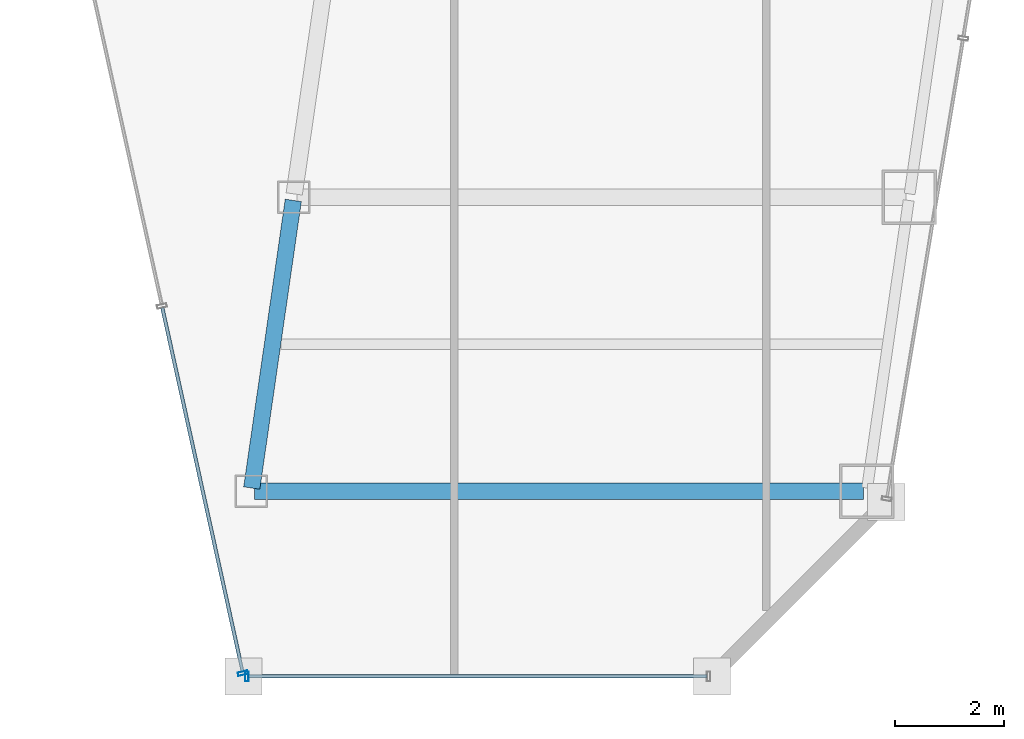
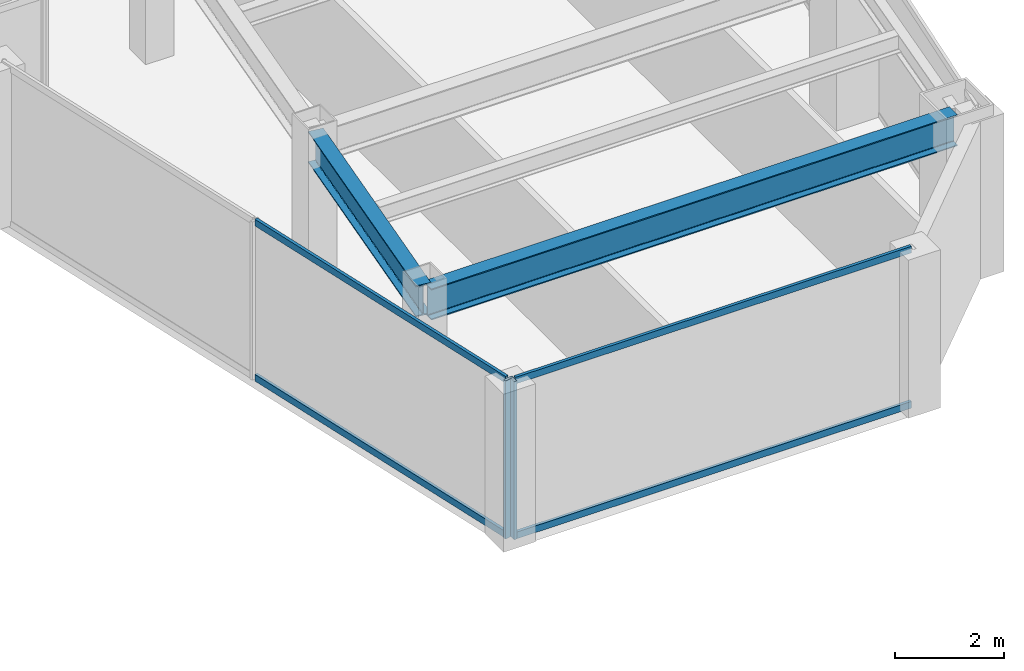
# One storey, part 17 of 40: 6 members, 2 beams, 2 elements without a shape of their own.
"""IFC4 building model written with IfcOpenShell, lengths in metres."""

import ifcopenshell
import ifcopenshell.guid

model = None  # the IFC model being written
_history = None  # IfcOwnerHistory: only IFC2X3 demands one
_inside = {}  # id of a spatial element -> (the spatial element, [elements in it])
_under = {}  # id of a project, library or spatial element -> (it, [spatial elements below it])
_declared = {}  # id of a project -> (the project, [libraries it declares])
_typed = {}  # id of a type object -> (the type object, [elements of that type])
_made_of = {}  # id of a material, layer set ... -> (it, [elements and type objects made of it])


def new_model(schema):
    """Start an empty IFC model of exactly this schema.

    Asked for "IFC4X3", IfcOpenShell would pick the latest addendum, in which some entities
    have other attributes; the version numbers below select the first issue.
    IFC2X3 requires an IfcOwnerHistory on every rooted entity: one is made here for all.
    """
    global model, _history
    if schema == "IFC4X3":
        model = ifcopenshell.file(schema_version=(4, 3, 0, 0))
    else:
        model = ifcopenshell.file(schema=schema)
    _inside.clear()
    _under.clear()
    _declared.clear()
    _typed.clear()
    _made_of.clear()
    _history = None
    if model.schema == "IFC2X3":
        org = make("IfcOrganization", Name="unknown")
        user = make(
            "IfcPersonAndOrganization",
            ThePerson=make("IfcPerson", FamilyName="unknown"),
            TheOrganization=org,
        )
        app = make(
            "IfcApplication",
            ApplicationDeveloper=org,
            Version="unknown",
            ApplicationFullName="unknown",
            ApplicationIdentifier="unknown",
        )
        _history = make(
            "IfcOwnerHistory",
            OwningUser=user,
            OwningApplication=app,
            ChangeAction="ADDED",
            CreationDate=0,
        )
    return model


def make(cls, **values):
    """One entity of the class cls with the attributes given. An attribute that is None is left unset."""
    return model.create_entity(
        cls, **{name: value for name, value in values.items() if value is not None}
    )


def rooted(cls, **values):
    """An entity with a GlobalId (a new one), such as an element, a storey or a relation."""
    return make(cls, GlobalId=ifcopenshell.guid.new(), OwnerHistory=_history, **values)


def si_unit(unit_type, name, prefix=None):
    """IfcSIUnit, for example si_unit("LENGTHUNIT", "METRE", prefix="MILLI")."""
    return make("IfcSIUnit", UnitType=unit_type, Prefix=prefix, Name=name)


def assignment(units):
    """IfcUnitAssignment: the units of a project."""
    return None if units is None else make("IfcUnitAssignment", Units=units)


def point(xyz):
    """IfcCartesianPoint."""
    return None if xyz is None else make("IfcCartesianPoint", Coordinates=xyz)


def direction(xyz):
    """IfcDirection."""
    return None if xyz is None else make("IfcDirection", DirectionRatios=xyz)


def frame(location, z_axis=None, x_axis=None):
    """IfcAxis2Placement3D, a coordinate frame: its origin and axes. An axis left out is left unset."""
    return make(
        "IfcAxis2Placement3D",
        Location=point(location),
        Axis=direction(z_axis),
        RefDirection=direction(x_axis),
    )


def frame_2d(location, x_axis=None):
    """IfcAxis2Placement2D, a coordinate frame in the plane: its origin and x axis."""
    return make(
        "IfcAxis2Placement2D", Location=point(location), RefDirection=direction(x_axis)
    )


def origin():
    """The frame at (0, 0, 0) with its axes left unset."""
    return frame((0.0, 0.0, 0.0))


def origin_2d():
    """The frame at (0, 0) in the plane with its x axis left unset."""
    return frame_2d((0.0, 0.0))


def place(relative_to, where):
    """IfcLocalPlacement: puts the frame where relative to a parent placement (None: the world)."""
    return make(
        "IfcLocalPlacement", PlacementRelTo=relative_to, RelativePlacement=where
    )


def context(
    kind, dimensions, precision=None, world=None, true_north=None, identifier=None
):
    """IfcGeometricRepresentationContext, for example the 3D "Model" context."""
    return make(
        "IfcGeometricRepresentationContext",
        ContextIdentifier=identifier,
        ContextType=kind,
        CoordinateSpaceDimension=dimensions,
        Precision=precision,
        WorldCoordinateSystem=world,
        TrueNorth=true_north,
    )


def subcontext(parent, identifier, kind, view, scale=None):
    """IfcGeometricRepresentationSubContext, for example "Body" below "Model"."""
    return make(
        "IfcGeometricRepresentationSubContext",
        ContextIdentifier=identifier,
        ContextType=kind,
        ParentContext=parent,
        TargetScale=scale,
        TargetView=view,
    )


def project(units=None, contexts=None):
    """IfcProject with its units and contexts."""
    return rooted(
        "IfcProject",
        Name="project",
        RepresentationContexts=contexts,
        UnitsInContext=assignment(units),
    )


def spatial(cls, under=None, at=None, **own):
    """A site, building, storey or space (cls), placed at a placement, below another one or the project."""
    s = rooted(cls, ObjectPlacement=at, **own)
    if under is not None:
        _under.setdefault(under.id(), (under, []))[1].append(s)
    return s


def profile(cls, at=None, kind="AREA", **sizes):
    """A parametric profile (cls). Its sizes go by their IFC names, for example OverallWidth=200.0."""
    return make(cls, ProfileType=kind, Position=at, **sizes)


def hollow_rectangle(**sizes):
    """IfcRectangleHollowProfileDef."""
    return profile("IfcRectangleHollowProfileDef", **sizes)


def i_section(**sizes):
    """IfcIShapeProfileDef."""
    return profile("IfcIShapeProfileDef", **sizes)


def extrude(swept, where, along, depth):
    """IfcExtrudedAreaSolid: the profile swept, set in the frame where, extruded along a direction by depth."""
    return make(
        "IfcExtrudedAreaSolid",
        SweptArea=swept,
        Position=where,
        ExtrudedDirection=direction(along),
        Depth=depth,
    )


def shape(context_of_items, identifier, shape_type, items):
    """IfcShapeRepresentation: the items that make up one representation, for example the "Body"."""
    return make(
        "IfcShapeRepresentation",
        ContextOfItems=context_of_items,
        RepresentationIdentifier=identifier,
        RepresentationType=shape_type,
        Items=items,
    )


def material(Name=None, Category=None):
    """IfcMaterial."""
    return make("IfcMaterial", Name=Name, Category=Category)


def material_profile(
    of_material, cross_section, Name=None, Category=None, Priority=None
):
    """IfcMaterialProfile: a cross section and its material."""
    return make(
        "IfcMaterialProfile",
        Name=Name,
        Material=of_material,
        Profile=cross_section,
        Priority=Priority,
        Category=Category,
    )


def profile_set(profiles, Name=None, composite=None):
    """IfcMaterialProfileSet."""
    return make(
        "IfcMaterialProfileSet",
        Name=Name,
        MaterialProfiles=profiles,
        CompositeProfile=composite,
    )


def made_of(thing, what):
    """Note that an element or type object is made of a material, layer set ...; save() writes the relation."""
    if what is not None:
        _made_of.setdefault(what.id(), (what, []))[1].append(thing)
    return thing


def type_object(cls, material=None, **own):
    """A type object (cls), such as IfcWallType, which elements share."""
    return made_of(rooted(cls, **own), material)


def element(
    cls,
    number,
    at=None,
    inside=None,
    cuts=None,
    type_object=None,
    material=None,
    context=None,
    identifier="Body",
    shape_type=None,
    held_by="IfcProductDefinitionShape",
    body=None,
    shapes=None,
    **own,
):
    """One element of the class cls, such as IfcWall. Its Tag is "e" and its number.

    at: its placement. inside: the storey or other place that contains it. cuts: it is an
    opening in that element (IfcRelVoidsElement). A single representation is given by context,
    identifier, shape_type and body (its items); several are given by shapes. held_by: the class
    of the entity that holds the representations. save() writes the other relations.
    """
    e = rooted(cls, Tag="e%d" % number, ObjectPlacement=at, **own)
    if body is not None:
        shapes = [shape(context, identifier, shape_type, body)]
    if shapes is not None:
        e.Representation = make(held_by, Representations=shapes)
    if inside is not None:
        _inside.setdefault(inside.id(), (inside, []))[1].append(e)
    if cuts is not None:
        rooted(
            "IfcRelVoidsElement", RelatingBuildingElement=cuts, RelatedOpeningElement=e
        )
    if type_object is not None:
        _typed.setdefault(type_object.id(), (type_object, []))[1].append(e)
    return made_of(e, material)


def aggregate(whole, parts):
    """IfcRelAggregates: a whole, such as a stair, and the parts it consists of."""
    return rooted("IfcRelAggregates", RelatingObject=whole, RelatedObjects=parts)


def save(model, path):
    """Write the relations noted so far, then the file.

    IfcRelAggregates (storeys below a building ...), IfcRelContainedInSpatialStructure (elements
    in a storey), IfcRelDefinesByType, IfcRelAssociatesMaterial and IfcRelDeclares: one each for
    every whole, place, type object, material and project.
    """
    for whole, parts in _under.values():
        aggregate(whole, parts)
    for where, things in _inside.values():
        rooted(
            "IfcRelContainedInSpatialStructure",
            RelatedElements=things,
            RelatingStructure=where,
        )
    for kind, things in _typed.values():
        rooted("IfcRelDefinesByType", RelatedObjects=things, RelatingType=kind)
    for what, things in _made_of.values():
        rooted("IfcRelAssociatesMaterial", RelatedObjects=things, RelatingMaterial=what)
    for by, libraries in _declared.values():
        rooted("IfcRelDeclares", RelatingContext=by, RelatedDefinitions=libraries)
    model.write(path)


model = new_model("IFC4")

# Units and contexts
model_context = context("Model", 3, precision=1e-05, world=origin(), true_north=direction((0.0, 1.0)))
body_context = subcontext(model_context, "Body", "Model", "MODEL_VIEW")
ifc_project = project(units=[si_unit("LENGTHUNIT", "METRE"), si_unit("AREAUNIT", "SQUARE_METRE"), si_unit("VOLUMEUNIT", "CUBIC_METRE"), si_unit("PLANEANGLEUNIT", "RADIAN"), si_unit("MASSUNIT", "GRAM", prefix="KILO")], contexts=[model_context])

# Site, building, storey
site_placement = place(None, origin())
site = spatial("IfcSite", under=ifc_project, at=site_placement, CompositionType="ELEMENT")
building_placement = place(site_placement, origin())
building = spatial("IfcBuilding", under=site, at=building_placement, Name="Saevonmaru Cultural Tower", CompositionType="ELEMENT")
storey_placement = place(building_placement, frame((0.0, 0.0, 129.60009765625)))
storey = spatial("IfcBuildingStorey", under=building, at=storey_placement, Name="L27", CompositionType="ELEMENT", Elevation=129.60009765625)

# Beams
ifc_material_1 = material(Name="Steel SM355", Category="steel")
ifc_material_profile_1 = material_profile(ifc_material_1, i_section(OverallWidth=0.300048828125, OverallDepth=0.699951171875, WebThickness=0.012939453125, FlangeThickness=0.02392578125, FilletRadius=0.02587890625, at=origin_2d()), Name="H-700x300x13x24")
ifc_profile_set_1 = profile_set([ifc_material_profile_1], Name="Steel SM355")
beam_type = type_object("IfcBeamType", Name="BM-G-H700", PredefinedType="BEAM", material=ifc_profile_set_1)
beam_1_placement = place(storey_placement, frame((37.300537109375, 10.659423828125, 3.199951171875), z_axis=(0.142977693794, 0.989725911087, 0.0), x_axis=(-0.989725911087, 0.142977693794, 0.0)))
element("IfcBeam", 1, at=beam_1_placement, inside=storey, type_object=beam_type, Name="L27 East Atrium Girder 1", PredefinedType="BEAM", context=body_context, shape_type="SweptSolid", body=[
    extrude(i_section(OverallWidth=0.300048828125, OverallDepth=0.699951171875, WebThickness=0.012939453125, FlangeThickness=0.02392578125, FilletRadius=0.02587890625, at=origin_2d()), origin(), (0.0, 0.0, 1.0), 5.336181640625),
])
beam_2_placement = place(storey_placement, frame((37.35205078125, 10.60009765625, 3.199951171875), z_axis=(1.0, 0.0, 0.0), x_axis=(0.0, 1.0, 0.0)))
element("IfcBeam", 2, at=beam_2_placement, inside=storey, type_object=beam_type, Name="L27 East Wing Transverse Girder 1", PredefinedType="BEAM", context=body_context, shape_type="SweptSolid", body=[
    extrude(i_section(OverallWidth=0.300048828125, OverallDepth=0.699951171875, WebThickness=0.012939453125, FlangeThickness=0.02392578125, FilletRadius=0.02587890625, at=origin_2d()), origin(), (0.0, 0.0, 1.0), 11.179931640625),
])

# Curtain wall, member
ifc_material_2 = material(Name="Satin Bronze Anodised Aluminium", Category="aluminium")
curtain_wall_type = type_object("IfcCurtainWallType", Name="CW-SKY-GLZ", PredefinedType="NOTDEFINED", material=ifc_material_2)
curtain_wall_1_placement = place(storey_placement, origin())
curtain_wall_1 = element("IfcCurtainWall", 3, at=curtain_wall_1_placement, inside=storey, type_object=curtain_wall_type, Name="L27 Unitised Curtain Wall E5", PredefinedType="NOTDEFINED")
ifc_material_profile_2 = material_profile(ifc_material_2, hollow_rectangle(XDim=0.06494140625, YDim=0.179931640625, WallThickness=0.00390625, at=origin_2d()), Name="ALU-MULL-180x65x4")
ifc_profile_set_2 = profile_set([ifc_material_profile_2], Name="Satin Bronze Anodised Aluminium")
member_type_1 = type_object("IfcMemberType", Name="ML-CW-180x65", PredefinedType="MULLION", material=ifc_profile_set_2)
member_1_placement = place(storey_placement, frame((37.13818359375, 7.258544921875, 0.0), z_axis=(0.0, 0.0, 1.0), x_axis=(0.215413319953, -0.976522965212, 0.0)))
member_1 = element("IfcMember", 4, at=member_1_placement, type_object=member_type_1, Name="CW-TW-L27-E5 mullion 3", PredefinedType="MULLION", context=body_context, shape_type="SweptSolid", body=[
    extrude(hollow_rectangle(XDim=0.06494140625, YDim=0.179931640625, WallThickness=0.00390625, at=origin_2d()), origin(), (0.0, 0.0, 1.0), 3.5498046875),
])

curtain_wall_2_placement = place(storey_placement, origin())
curtain_wall_2 = element("IfcCurtainWall", 5, at=curtain_wall_2_placement, inside=storey, type_object=curtain_wall_type, Name="L27 Unitised Curtain Wall E6", PredefinedType="NOTDEFINED")
member_2_placement = place(storey_placement, frame((37.211181640625, 7.199951171875, 0.0), z_axis=(0.0, 0.0, 1.0), x_axis=(1.0, 0.0, 0.0)))
member_2 = element("IfcMember", 6, at=member_2_placement, type_object=member_type_1, Name="CW-TW-L27-E6 mullion 1", PredefinedType="MULLION", context=body_context, shape_type="SweptSolid", body=[
    extrude(hollow_rectangle(XDim=0.06494140625, YDim=0.179931640625, WallThickness=0.00390625, at=origin_2d()), origin(), (0.0, 0.0, 1.0), 3.5498046875),
])

# Member
ifc_material_profile_3 = material_profile(ifc_material_2, hollow_rectangle(XDim=0.06494140625, YDim=0.14990234375, WallThickness=0.00390625, at=origin_2d()), Name="ALU-TRAN-150x65x4")
ifc_profile_set_3 = profile_set([ifc_material_profile_3], Name="Satin Bronze Anodised Aluminium")
member_type_2 = type_object("IfcMemberType", Name="TR-CW-150x65", PredefinedType="USERDEFINED", material=ifc_profile_set_3)
member_3_placement = place(storey_placement, frame((35.658203125, 13.96826171875, 0.032470703125), z_axis=(0.215384122519, -0.97652940548, 0.0), x_axis=(0.97652940548, 0.215384122519, 0.0)))
member_3 = element("IfcMember", 7, at=member_3_placement, type_object=member_type_2, Name="CW-TW-L27-E5 transom 2.1", ObjectType="TRANSOM", PredefinedType="USERDEFINED", context=body_context, shape_type="SweptSolid", body=[
    extrude(hollow_rectangle(XDim=0.06494140625, YDim=0.14990234375, WallThickness=0.00390625, at=origin_2d()), origin(), (0.0, 0.0, 1.0), 6.83837890625),
])

member_4_placement = place(storey_placement, frame((35.658203125, 13.96826171875, 3.517333984375), z_axis=(0.215384122519, -0.97652940548, 0.0), x_axis=(0.97652940548, 0.215384122519, 0.0)))
member_4 = element("IfcMember", 8, at=member_4_placement, type_object=member_type_2, Name="CW-TW-L27-E5 transom 2.2", ObjectType="TRANSOM", PredefinedType="USERDEFINED", context=body_context, shape_type="SweptSolid", body=[
    extrude(hollow_rectangle(XDim=0.06494140625, YDim=0.14990234375, WallThickness=0.00390625, at=origin_2d()), origin(), (0.0, 0.0, 1.0), 6.83837890625),
])

aggregate(curtain_wall_1, [member_1, member_3, member_4])

member_5_placement = place(storey_placement, frame((37.24365234375, 7.199951171875, 0.032470703125), z_axis=(1.0, 0.0, 0.0), x_axis=(0.0, 1.0, 0.0)))
member_5 = element("IfcMember", 9, at=member_5_placement, type_object=member_type_2, Name="CW-TW-L27-E6 transom 1.1", ObjectType="TRANSOM", PredefinedType="USERDEFINED", context=body_context, shape_type="SweptSolid", body=[
    extrude(hollow_rectangle(XDim=0.06494140625, YDim=0.14990234375, WallThickness=0.00390625, at=origin_2d()), origin(), (0.0, 0.0, 1.0), 8.4150390625),
])

member_6_placement = place(storey_placement, frame((37.24365234375, 7.199951171875, 3.517333984375), z_axis=(1.0, 0.0, 0.0), x_axis=(0.0, 1.0, 0.0)))
member_6 = element("IfcMember", 10, at=member_6_placement, type_object=member_type_2, Name="CW-TW-L27-E6 transom 1.2", ObjectType="TRANSOM", PredefinedType="USERDEFINED", context=body_context, shape_type="SweptSolid", body=[
    extrude(hollow_rectangle(XDim=0.06494140625, YDim=0.14990234375, WallThickness=0.00390625, at=origin_2d()), origin(), (0.0, 0.0, 1.0), 8.4150390625),
])

aggregate(curtain_wall_2, [member_2, member_5, member_6])

save(model, "model.ifc")
